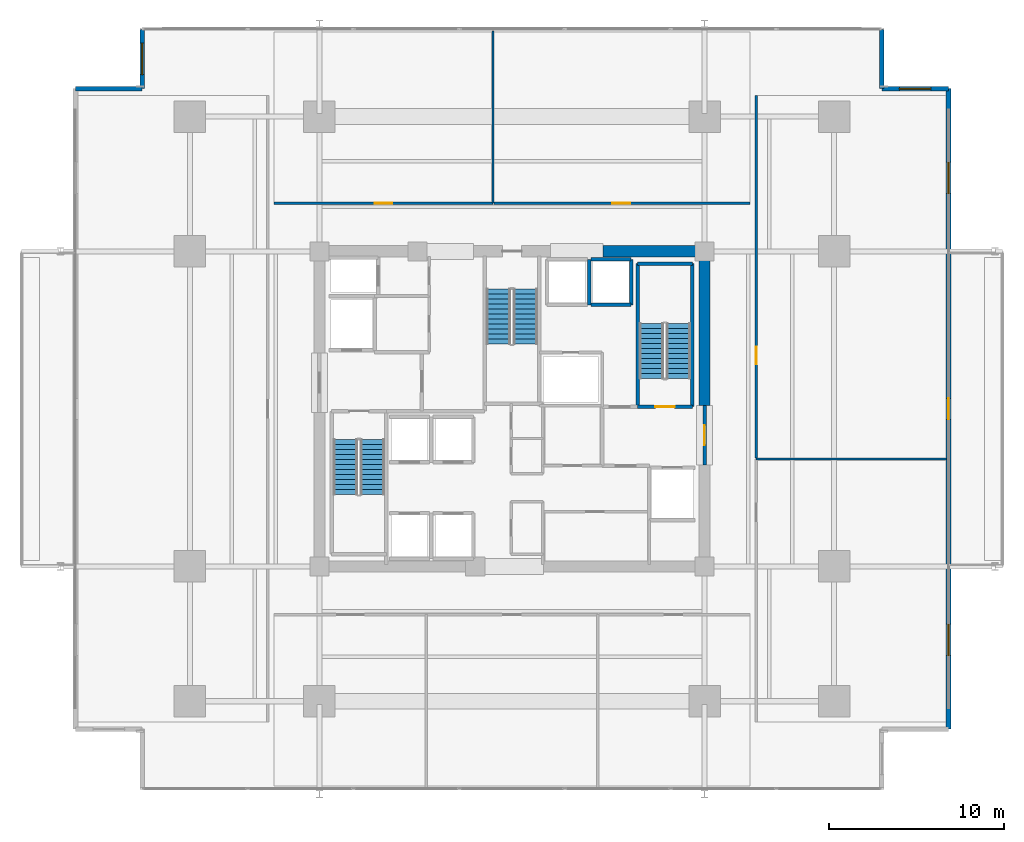
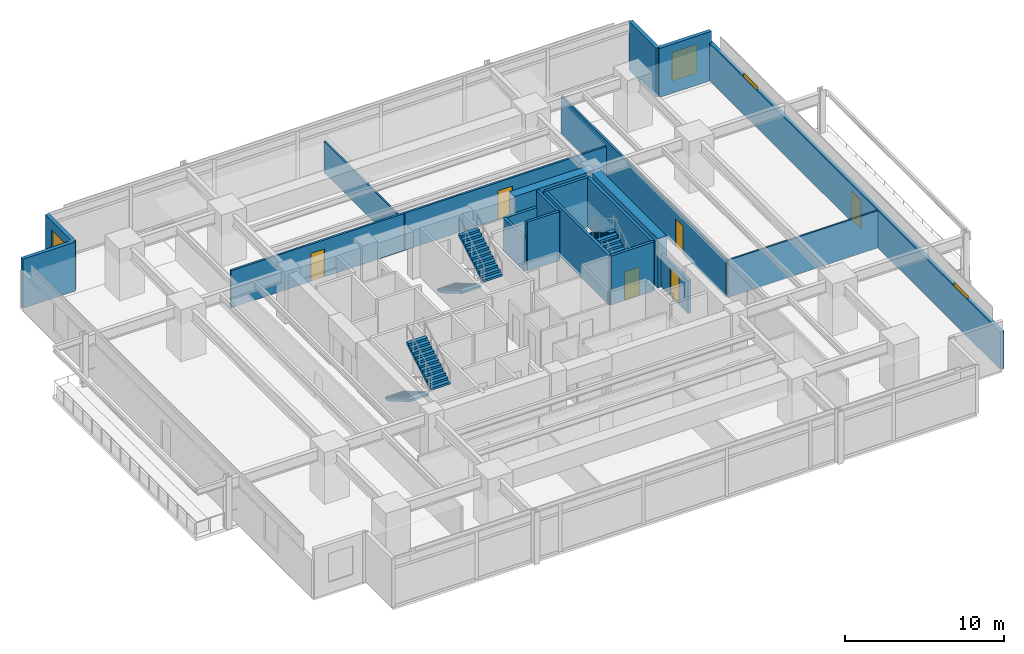
# One storey, part 17 of 21: 21 walls, 6 doors, 6 stair flights, 4 windows, 10 openings, 3 elements without a shape of their own.
"""IFC4 building model written with IfcOpenShell, lengths in metres."""

from ifc_helpers import new_model, si_unit, direction, frame, frame_2d, origin, place, context, subcontext, project, spatial, polyline, rectangle, outline, extrude, material, layer, layer_set, type_object, element, fill, aggregate, save


model = new_model("IFC4")

# Units and contexts
model_context = context("Model", 3, precision=1e-05, world=origin(), true_north=direction((0.0, 1.0)))
body_context = subcontext(model_context, "Body", "Model", "MODEL_VIEW")
ifc_project = project(units=[si_unit("LENGTHUNIT", "METRE"), si_unit("AREAUNIT", "SQUARE_METRE"), si_unit("VOLUMEUNIT", "CUBIC_METRE"), si_unit("PLANEANGLEUNIT", "RADIAN"), si_unit("MASSUNIT", "GRAM", prefix="KILO")], contexts=[model_context])

# Site, building, storey
site_placement = place(None, origin())
site = spatial("IfcSite", under=ifc_project, at=site_placement, CompositionType="ELEMENT")
building_placement = place(site_placement, origin())
building = spatial("IfcBuilding", under=site, at=building_placement, Name="Kovane Verandah Tower", CompositionType="ELEMENT")
storey_placement = place(building_placement, frame((0.0, 0.0, 31.60009765625)))
storey = spatial("IfcBuildingStorey", under=building, at=storey_placement, Name="L06", CompositionType="ELEMENT", Elevation=31.60009765625)

# Wall, opening, door
ifc_material_1 = material(Name="Fire-Rated Gypsum Stud Partition", Category="gypsum")
ifc_layer_1 = layer(ifc_material_1, 0.14990234375)
ifc_layer_set_1 = layer_set([ifc_layer_1], Name="Fire-Rated Gypsum Stud Partition")
wall_type_1 = type_object("IfcWallType", Name="WL-COR-150", PredefinedType="PARTITIONING", material=ifc_layer_set_1)
wall_1_placement = place(storey_placement, frame((26.39990234375, 39.25, 0.0), z_axis=(0.0, 0.0, 1.0), x_axis=(1.0, 0.0, 0.0)))
wall_1 = element("IfcWall", 1, at=wall_1_placement, inside=storey, type_object=wall_type_1, Name="L06 Open Plan Office N1 Corridor Partition", PredefinedType="PARTITIONING", context=body_context, shape_type="SweptSolid", body=[
    extrude(rectangle(XDim=12.51220703125, YDim=0.14990234375, at=frame_2d((6.256103515625, 0.0))), origin(), (0.0, 0.0, 1.0), 2.849853515625),
])
opening_1_placement = place(wall_1_placement, frame((5.77099609375, 0.0, 0.0)))
opening_1 = element("IfcOpeningElement", 2, at=opening_1_placement, cuts=wall_1, Name="Opening DR-L06-017", PredefinedType="OPENING", context=body_context, shape_type="SweptSolid", body=[
    extrude(rectangle(XDim=1.0, YDim=2.14990234375, at=frame_2d((0.5, 1.074951171875))), frame((0.0, 0.074951171875, 0.0), z_axis=(0.0, -1.0, 0.0), x_axis=(1.0, 0.0, 0.0)), (0.0, 0.0, 1.0), 0.14990234375),
])
ifc_material_2 = material(Name="FSC Spotted-Gum Timber Fire-Rated Office Door", Category="wood")
door_type_1 = type_object("IfcDoorType", Name="DR-OFF-1000", OperationType="SINGLE_SWING_LEFT", PredefinedType="DOOR", material=ifc_material_2)
door_1_placement = place(opening_1_placement, origin())
door_1 = element("IfcDoor", 3, at=door_1_placement, inside=storey, type_object=door_type_1, Name="L06 Open Plan Office N1 Entrance Door", OperationType="SINGLE_SWING_RIGHT", OverallHeight=2.14990234375, OverallWidth=1.0, PredefinedType="DOOR", context=body_context, shape_type="SweptSolid", body=[
    extrude(rectangle(XDim=1.0, YDim=2.14990234375, at=frame_2d((0.5, 1.074951171875))), frame((0.0, 0.02490234375, 0.0), z_axis=(0.0, -1.0, 0.0), x_axis=(1.0, 0.0, 0.0)), (0.0, 0.0, 1.0), 0.050048828125),
])
fill(opening_1, door_1)

wall_2_placement = place(storey_placement, frame((38.98193359375, 39.25, 0.0), z_axis=(0.0, 0.0, 1.0), x_axis=(1.0, 0.0, 0.0)))
wall_2 = element("IfcWall", 4, at=wall_2_placement, inside=storey, type_object=wall_type_1, Name="L06 Executive Office N2 Corridor Partition", PredefinedType="PARTITIONING", context=body_context, shape_type="SweptSolid", body=[
    extrude(rectangle(XDim=14.6181640625, YDim=0.14990234375, at=frame_2d((7.30908203125, 0.0))), origin(), (0.0, 0.0, 1.0), 2.849853515625),
])
opening_2_placement = place(wall_2_placement, frame((6.73388671875, 0.0, 0.0)))
opening_2 = element("IfcOpeningElement", 5, at=opening_2_placement, cuts=wall_2, Name="Opening DR-L06-018", PredefinedType="OPENING", context=body_context, shape_type="SweptSolid", body=[
    extrude(rectangle(XDim=1.050048828125, YDim=2.199951171875, at=frame_2d((0.52490234375, 1.10009765625))), frame((0.0, 0.074951171875, 0.0), z_axis=(0.0, -1.0, 0.0), x_axis=(1.0, 0.0, 0.0)), (0.0, 0.0, 1.0), 0.14990234375),
])
ifc_material_3 = material(Name="FSC Blackbutt Timber Fire-Rated Executive Door", Category="wood")
door_type_2 = type_object("IfcDoorType", Name="DR-EXEC-1050", OperationType="SINGLE_SWING_LEFT", PredefinedType="DOOR", material=ifc_material_3)
door_2_placement = place(opening_2_placement, origin())
door_2 = element("IfcDoor", 6, at=door_2_placement, inside=storey, type_object=door_type_2, Name="L06 Executive Office N2 Entrance Door", OperationType="SINGLE_SWING_LEFT", OverallHeight=2.199951171875, OverallWidth=1.050048828125, PredefinedType="DOOR", context=body_context, shape_type="SweptSolid", body=[
    extrude(rectangle(XDim=1.050048828125, YDim=2.199951171875, at=frame_2d((0.52490234375, 1.10009765625))), frame((0.0, 0.02490234375, 0.0), z_axis=(0.0, -1.0, 0.0), x_axis=(1.0, 0.0, 0.0)), (0.0, 0.0, 1.0), 0.050048828125),
])
fill(opening_2, door_2)

wall_3_placement = place(storey_placement, frame((53.949951171875, 24.706787109375, 0.0), z_axis=(0.0, 0.0, 1.0), x_axis=(0.0, 1.0, 0.0)))
wall_3 = element("IfcWall", 7, at=wall_3_placement, inside=storey, type_object=wall_type_1, Name="L06 Document and Print Room E2 Corridor Partition", PredefinedType="PARTITIONING", context=body_context, shape_type="SweptSolid", body=[
    extrude(rectangle(XDim=20.688232421875, YDim=0.14990234375, at=frame_2d((10.34423828125, 0.0))), origin(), (0.0, 0.0, 1.0), 2.849853515625),
])
opening_3_placement = place(wall_3_placement, frame((5.3466796875, 0.0, 0.0)))
opening_3 = element("IfcOpeningElement", 8, at=opening_3_placement, cuts=wall_3, Name="Opening DR-L06-013", PredefinedType="OPENING", context=body_context, shape_type="SweptSolid", body=[
    extrude(rectangle(XDim=1.0, YDim=2.14990234375, at=frame_2d((0.5, 1.074951171875))), frame((0.0, 0.074951171875, 0.0), z_axis=(0.0, -1.0, 0.0), x_axis=(1.0, 0.0, 0.0)), (0.0, 0.0, 1.0), 0.14990234375),
])
door_3_placement = place(opening_3_placement, origin())
door_3 = element("IfcDoor", 9, at=door_3_placement, inside=storey, type_object=door_type_1, Name="L06 Document and Print Room E2 Entrance Door", OperationType="SINGLE_SWING_LEFT", OverallHeight=2.14990234375, OverallWidth=1.0, PredefinedType="DOOR", context=body_context, shape_type="SweptSolid", body=[
    extrude(rectangle(XDim=1.0, YDim=2.14990234375, at=frame_2d((0.5, 1.074951171875))), frame((0.0, 0.02490234375, 0.0), z_axis=(0.0, -1.0, 0.0), x_axis=(1.0, 0.0, 0.0)), (0.0, 0.0, 1.0), 0.050048828125),
])
fill(opening_3, door_3)

# Walls
ifc_material_4 = material(Name="Concrete C80/95", Category="concrete")
ifc_layer_2 = layer(ifc_material_4, 0.64990234375)
ifc_layer_set_2 = layer_set([ifc_layer_2], Name="Concrete C80/95")
wall_type_2 = type_object("IfcWallType", Name="WL-CORE-650", PredefinedType="SHEAR", material=ifc_layer_set_2)
wall_4_placement = place(storey_placement, frame((45.199951171875, 36.5, 0.0), z_axis=(0.0, 0.0, 1.0), x_axis=(1.0, 0.0, 0.0)))
element("IfcWall", 10, at=wall_4_placement, inside=storey, type_object=wall_type_2, Name="L06 Core Shear Wall CN-3", PredefinedType="SHEAR", context=body_context, shape_type="SweptSolid", body=[
    extrude(rectangle(XDim=5.800048828125, YDim=0.64990234375, at=frame_2d((2.89990234375, 0.0))), origin(), (0.0, 0.0, 1.0), 3.760009765625),
])
wall_5_placement = place(storey_placement, frame((51.0, 27.699951171875, 0.0), z_axis=(0.0, 0.0, 1.0), x_axis=(0.0, 1.0, 0.0)))
element("IfcWall", 11, at=wall_5_placement, inside=storey, type_object=wall_type_2, Name="L06 Core Shear Wall CE-2", PredefinedType="SHEAR", context=body_context, shape_type="SweptSolid", body=[
    extrude(rectangle(XDim=8.800048828125, YDim=0.64990234375, at=frame_2d((4.39990234375, 0.0))), origin(), (0.0, 0.0, 1.0), 3.760009765625),
])

# Wall, opening, door
ifc_material_5 = material(Name="Concrete C45/55 Fire Wall", Category="concrete")
ifc_layer_3 = layer(ifc_material_5, 0.199951171875)
ifc_layer_set_3 = layer_set([ifc_layer_3], Name="Concrete C45/55 Fire Wall")
wall_type_3 = type_object("IfcWallType", Name="WL-FFL-200", PredefinedType="PARTITIONING", material=ifc_layer_set_3)
wall_6_placement = place(storey_placement, frame((51.0, 24.300048828125, 0.0), z_axis=(0.0, 0.0, 1.0), x_axis=(0.0, 1.0, 0.0)))
wall_6 = element("IfcWall", 12, at=wall_6_placement, inside=storey, type_object=wall_type_3, Name="W-L06-FFLE-OUT", PredefinedType="PARTITIONING", context=body_context, shape_type="SweptSolid", body=[
    extrude(rectangle(XDim=3.39990234375, YDim=0.199951171875, at=frame_2d((1.699951171875, 0.0))), origin(), (0.0, 0.0, 1.0), 2.539794921875),
])
opening_4_placement = place(wall_6_placement, frame((1.125, 0.0, 0.0)))
opening_4 = element("IfcOpeningElement", 13, at=opening_4_placement, cuts=wall_6, Name="Opening DR-L06-005", PredefinedType="OPENING", context=body_context, shape_type="SweptSolid", body=[
    extrude(rectangle(XDim=1.14990234375, YDim=2.199951171875, at=frame_2d((0.574951171875, 1.10009765625))), frame((0.0, 0.10009765625, 0.0), z_axis=(0.0, -1.0, 0.0), x_axis=(1.0, 0.0, 0.0)), (0.0, 0.0, 1.0), 0.199951171875),
])
ifc_material_6 = material(Name="Smoke-Sealed Firefighting Lobby Door", Category="steel")
door_type_3 = type_object("IfcDoorType", Name="DR-FFL-1150", OperationType="SINGLE_SWING_LEFT", PredefinedType="DOOR", material=ifc_material_6)
door_4_placement = place(opening_4_placement, origin())
door_4 = element("IfcDoor", 14, at=door_4_placement, inside=storey, type_object=door_type_3, Name="L06 East Firefighting Lobby Corridor Door", OperationType="SINGLE_SWING_LEFT", OverallHeight=2.199951171875, OverallWidth=1.14990234375, PredefinedType="DOOR", context=body_context, shape_type="SweptSolid", body=[
    extrude(rectangle(XDim=1.14990234375, YDim=2.199951171875, at=frame_2d((0.574951171875, 1.10009765625))), frame((0.0, 0.02490234375, 0.0), z_axis=(0.0, -1.0, 0.0), x_axis=(1.0, 0.0, 0.0)), (0.0, 0.0, 1.0), 0.050048828125),
])
fill(opening_4, door_4)

# Walls
ifc_material_7 = material(Name="Concrete C45/55 Lift Shaft Wall", Category="concrete")
ifc_layer_4 = layer(ifc_material_7, 0.199951171875)
ifc_layer_set_4 = layer_set([ifc_layer_4], Name="Concrete C45/55 Lift Shaft Wall")
wall_type_4 = type_object("IfcWallType", Name="WL-LIFT-200", PredefinedType="SOLIDWALL", material=ifc_layer_set_4)
wall_7_placement = place(storey_placement, frame((44.39990234375, 33.449951171875, 0.0), z_axis=(0.0, 0.0, 1.0), x_axis=(0.0, 1.0, 0.0)))
element("IfcWall", 15, at=wall_7_placement, inside=storey, type_object=wall_type_4, Name="L06 Lift OL-01 and SL-01 Shared Shaft Wall", PredefinedType="SOLIDWALL", context=body_context, shape_type="SweptSolid", body=[
    extrude(rectangle(XDim=2.60009765625, YDim=0.199951171875, at=frame_2d((1.300048828125, 0.0))), origin(), (0.0, 0.0, 1.0), 2.539794921875),
])
wall_8_placement = place(storey_placement, frame((44.5, 33.449951171875, 0.0), z_axis=(0.0, 0.0, 1.0), x_axis=(1.0, 0.0, 0.0)))
element("IfcWall", 16, at=wall_8_placement, inside=storey, type_object=wall_type_4, Name="L06 Lift OL-01 S Shaft Wall", PredefinedType="SOLIDWALL", context=body_context, shape_type="SweptSolid", body=[
    extrude(rectangle(XDim=2.300048828125, YDim=0.199951171875, at=frame_2d((1.14990234375, 0.0))), origin(), (0.0, 0.0, 1.0), 3.760009765625),
])
wall_9_placement = place(storey_placement, frame((46.800048828125, 36.050048828125, 0.0), z_axis=(0.0, 0.0, 1.0), x_axis=(-1.0, 0.0, 0.0)))
element("IfcWall", 17, at=wall_9_placement, inside=storey, type_object=wall_type_4, Name="L06 Lift OL-01 N Shaft Wall", PredefinedType="SOLIDWALL", context=body_context, shape_type="SweptSolid", body=[
    extrude(rectangle(XDim=2.300048828125, YDim=0.199951171875, at=frame_2d((1.14990234375, 0.0))), origin(), (0.0, 0.0, 1.0), 2.539794921875),
])
wall_10_placement = place(storey_placement, frame((46.800048828125, 33.449951171875, 0.0), z_axis=(0.0, 0.0, 1.0), x_axis=(0.0, 1.0, 0.0)))
element("IfcWall", 18, at=wall_10_placement, inside=storey, type_object=wall_type_4, Name="L06 Lift OL-01 E Shaft Wall", PredefinedType="SOLIDWALL", context=body_context, shape_type="SweptSolid", body=[
    extrude(rectangle(XDim=2.60009765625, YDim=0.199951171875, at=frame_2d((1.300048828125, 0.0))), origin(), (0.0, 0.0, 1.0), 3.760009765625),
])
ifc_material_8 = material(Name="Acoustic Fire-Rated Gypsum Partition", Category="gypsum")
ifc_layer_5 = layer(ifc_material_8, 0.1201171875)
ifc_layer_set_5 = layer_set([ifc_layer_5], Name="Acoustic Fire-Rated Gypsum Partition")
wall_type_5 = type_object("IfcWallType", Name="WL-PART-120", PredefinedType="PARTITIONING", material=ifc_layer_set_5)
wall_11_placement = place(storey_placement, frame((38.912109375, 39.25, 0.0), z_axis=(0.0, 0.0, 1.0), x_axis=(0.0, 1.0, 0.0)))
element("IfcWall", 19, at=wall_11_placement, inside=storey, type_object=wall_type_5, Name="L06 Open Plan Office N1 Dividing Partition", PredefinedType="PARTITIONING", context=body_context, shape_type="SweptSolid", body=[
    extrude(rectangle(XDim=9.844970703125, YDim=0.1201171875, at=frame_2d((4.92236328125, 0.0))), origin(), (0.0, 0.0, 1.0), 2.389892578125),
])
wall_12_placement = place(storey_placement, frame((53.949951171875, 24.63671875, 0.0), z_axis=(0.0, 0.0, 1.0), x_axis=(1.0, 0.0, 0.0)))
element("IfcWall", 20, at=wall_12_placement, inside=storey, type_object=wall_type_5, Name="L06 Collaboration Hub E1 Dividing Partition", PredefinedType="PARTITIONING", context=body_context, shape_type="SweptSolid", body=[
    extrude(rectangle(XDim=10.8857421875, YDim=0.1201171875, at=frame_2d((5.44287109375, 0.0))), origin(), (0.0, 0.0, 1.0), 2.849853515625),
])
ifc_material_9 = material(Name="Concrete C45/55", Category="concrete")
ifc_layer_6 = layer(ifc_material_9, 0.199951171875)
ifc_layer_set_6 = layer_set([ifc_layer_6], Name="Concrete C45/55")
wall_type_6 = type_object("IfcWallType", Name="WL-SHAFT-200", PredefinedType="SOLIDWALL", material=ifc_layer_set_6)
wall_13_placement = place(storey_placement, frame((50.300048828125, 27.64990234375, 0.0), z_axis=(0.0, 0.0, 1.0), x_axis=(0.0, 1.0, 0.0)))
element("IfcWall", 21, at=wall_13_placement, inside=storey, type_object=wall_type_6, Name="W-L06-ST02-E", PredefinedType="SOLIDWALL", context=body_context, shape_type="SweptSolid", body=[
    extrude(rectangle(XDim=8.150146484375, YDim=0.199951171875, at=frame_2d((4.0751953125, 0.0))), origin(), (0.0, 0.0, 1.0), 3.760009765625),
])
wall_14_placement = place(storey_placement, frame((47.179931640625, 35.800048828125, 0.0), z_axis=(0.0, 0.0, 1.0), x_axis=(1.0, 0.0, 0.0)))
element("IfcWall", 22, at=wall_14_placement, inside=storey, type_object=wall_type_6, Name="W-L06-ST02-N", PredefinedType="SOLIDWALL", context=body_context, shape_type="SweptSolid", body=[
    extrude(rectangle(XDim=3.1201171875, YDim=0.199951171875, at=frame_2d((1.56005859375, 0.0))), origin(), (0.0, 0.0, 1.0), 3.760009765625),
])
wall_15_placement = place(storey_placement, frame((47.179931640625, 27.6201171875, 0.0), z_axis=(0.0, 0.0, 1.0), x_axis=(0.0, 1.0, 0.0)))
element("IfcWall", 23, at=wall_15_placement, inside=storey, type_object=wall_type_6, Name="W-L06-ST02-W", PredefinedType="SOLIDWALL", context=body_context, shape_type="SweptSolid", body=[
    extrude(rectangle(XDim=8.179931640625, YDim=0.199951171875, at=frame_2d((4.08984375, 0.0))), origin(), (0.0, 0.0, 1.0), 3.760009765625),
])

# Wall, opening, door
wall_16_placement = place(storey_placement, frame((47.179931640625, 27.6201171875, 0.0), z_axis=(0.0, 0.0, 1.0), x_axis=(1.0, 0.0, 0.0)))
wall_16 = element("IfcWall", 24, at=wall_16_placement, inside=storey, type_object=wall_type_6, Name="W-L06-ST02-S", PredefinedType="SOLIDWALL", context=body_context, shape_type="SweptSolid", body=[
    extrude(rectangle(XDim=3.1201171875, YDim=0.199951171875, at=frame_2d((1.56005859375, 0.0))), origin(), (0.0, 0.0, 1.0), 3.760009765625),
])
opening_5_placement = place(wall_16_placement, frame((1.010009765625, 0.0, 0.0)))
opening_5 = element("IfcOpeningElement", 25, at=opening_5_placement, cuts=wall_16, Name="Opening DR-L06-010", PredefinedType="OPENING", context=body_context, shape_type="SweptSolid", body=[
    extrude(rectangle(XDim=1.10009765625, YDim=2.14990234375, at=frame_2d((0.550048828125, 1.074951171875))), frame((0.0, 0.10009765625, 0.0), z_axis=(0.0, -1.0, 0.0), x_axis=(1.0, 0.0, 0.0)), (0.0, 0.0, 1.0), 0.199951171875),
])
ifc_material_10 = material(Name="Fire-Rated Steel Exit Door", Category="steel")
door_type_4 = type_object("IfcDoorType", Name="DR-STAIR-1100", OperationType="SINGLE_SWING_LEFT", PredefinedType="DOOR", material=ifc_material_10)
door_5_placement = place(opening_5_placement, origin())
door_5 = element("IfcDoor", 26, at=door_5_placement, inside=storey, type_object=door_type_4, Name="L06 ST-02 Fire Exit Stair Door", OperationType="SINGLE_SWING_RIGHT", OverallHeight=2.14990234375, OverallWidth=1.10009765625, PredefinedType="DOOR", context=body_context, shape_type="SweptSolid", body=[
    extrude(rectangle(XDim=1.10009765625, YDim=2.14990234375, at=frame_2d((0.550048828125, 1.074951171875))), frame((0.0, 0.02490234375, 0.0), z_axis=(0.0, -1.0, 0.0), x_axis=(1.0, 0.0, 0.0)), (0.0, 0.0, 1.0), 0.050048828125),
])
fill(opening_5, door_5)

# Wall, openings, door, windows
ifc_material_11 = material(Name="Concrete C45/55 Insulated Spandrel Wall", Category="concrete")
ifc_layer_7 = layer(ifc_material_11, 0.260009765625)
ifc_layer_set_7 = layer_set([ifc_layer_7], Name="Concrete C45/55 Insulated Spandrel Wall")
wall_type_7 = type_object("IfcWallType", Name="WL-SPANDREL-260", PredefinedType="PARAPET", material=ifc_layer_set_7)
wall_17_placement = place(storey_placement, frame((64.935791015625, 9.205078125, 0.0), z_axis=(0.0, 0.0, 1.0), x_axis=(0.0, 1.0, 0.0)))
wall_17 = element("IfcWall", 27, at=wall_17_placement, inside=storey, type_object=wall_type_7, Name="L06 E Verandah Access Facade Wall", PredefinedType="PARAPET", context=body_context, shape_type="SweptSolid", body=[
    extrude(rectangle(XDim=36.58984375, YDim=0.260009765625, at=frame_2d((18.294921875, 0.0))), origin(), (0.0, 0.0, 1.0), 2.88916015625),
])
opening_6_placement = place(wall_17_placement, frame((4.199951171875, 0.0, 0.85009765625)))
opening_6 = element("IfcOpeningElement", 28, at=opening_6_placement, cuts=wall_17, Name="Opening W-03", PredefinedType="OPENING", context=body_context, shape_type="SweptSolid", body=[
    extrude(rectangle(XDim=1.800048828125, YDim=2.199951171875, at=frame_2d((0.89990234375, 1.10009765625))), frame((0.0, 0.1298828125, 0.0), z_axis=(0.0, -1.0, 0.0), x_axis=(1.0, 0.0, 0.0)), (0.0, 0.0, 1.0), 0.260009765625),
])
opening_7_placement = place(wall_17_placement, frame((17.695068359375, 0.0, 0.0)))
opening_7 = element("IfcOpeningElement", 29, at=opening_7_placement, cuts=wall_17, Name="Opening DR-L06-001", PredefinedType="OPENING", context=body_context, shape_type="SweptSolid", body=[
    extrude(rectangle(XDim=1.199951171875, YDim=2.199951171875, at=frame_2d((0.60009765625, 1.10009765625))), frame((0.0, 0.1298828125, 0.0), z_axis=(0.0, -1.0, 0.0), x_axis=(1.0, 0.0, 0.0)), (0.0, 0.0, 1.0), 0.260009765625),
])
opening_8_placement = place(wall_17_placement, frame((30.590087890625, 0.0, 0.85009765625)))
opening_8 = element("IfcOpeningElement", 30, at=opening_8_placement, cuts=wall_17, Name="Opening W-03", PredefinedType="OPENING", context=body_context, shape_type="SweptSolid", body=[
    extrude(rectangle(XDim=1.800048828125, YDim=2.199951171875, at=frame_2d((0.89990234375, 1.10009765625))), frame((0.0, 0.1298828125, 0.0), z_axis=(0.0, -1.0, 0.0), x_axis=(1.0, 0.0, 0.0)), (0.0, 0.0, 1.0), 0.260009765625),
])
ifc_material_12 = material(Name="Cyclone-Rated Glazed Balcony Leaf Door", Category="aluminium")
door_type_5 = type_object("IfcDoorType", Name="DR-BAL-1200x2200", OperationType="SINGLE_SWING_LEFT", PredefinedType="DOOR", material=ifc_material_12)
door_6_placement = place(opening_7_placement, origin())
door_6 = element("IfcDoor", 31, at=door_6_placement, inside=storey, type_object=door_type_5, Name="L06 E Planted Balcony Access Door", OperationType="SINGLE_SWING_LEFT", OverallHeight=2.199951171875, OverallWidth=1.199951171875, PredefinedType="DOOR", context=body_context, shape_type="SweptSolid", body=[
    extrude(rectangle(XDim=1.199951171875, YDim=2.199951171875, at=frame_2d((0.60009765625, 1.10009765625))), frame((0.0, 0.02490234375, 0.0), z_axis=(0.0, -1.0, 0.0), x_axis=(1.0, 0.0, 0.0)), (0.0, 0.0, 1.0), 0.050048828125),
])
fill(opening_7, door_6)
ifc_material_13 = material(Name="Clear Low-E Laminated Double Glazing in Anodised Frame", Category="glass")
window_type = type_object("IfcWindowType", Name="WN-NOTCH-1800x2200", PartitioningType="SINGLE_PANEL", PredefinedType="WINDOW", material=ifc_material_13)
window_1_placement = place(opening_6_placement, origin())
window_1 = element("IfcWindow", 32, at=window_1_placement, inside=storey, type_object=window_type, Name="L06 E Verandah View Window 1", OverallHeight=2.199951171875, OverallWidth=1.800048828125, PartitioningType="SINGLE_PANEL", PredefinedType="WINDOW", context=body_context, shape_type="SweptSolid", body=[
    extrude(rectangle(XDim=1.800048828125, YDim=2.199951171875, at=frame_2d((0.89990234375, 1.10009765625))), frame((0.0, 0.030029296875, 0.0), z_axis=(0.0, -1.0, 0.0), x_axis=(1.0, 0.0, 0.0)), (0.0, 0.0, 1.0), 0.06005859375),
])
fill(opening_6, window_1)
window_2_placement = place(opening_8_placement, origin())
window_2 = element("IfcWindow", 33, at=window_2_placement, inside=storey, type_object=window_type, Name="L06 E Verandah View Window 2", OverallHeight=2.199951171875, OverallWidth=1.800048828125, PartitioningType="SINGLE_PANEL", PredefinedType="WINDOW", context=body_context, shape_type="SweptSolid", body=[
    extrude(rectangle(XDim=1.800048828125, YDim=2.199951171875, at=frame_2d((0.89990234375, 1.10009765625))), frame((0.0, 0.030029296875, 0.0), z_axis=(0.0, -1.0, 0.0), x_axis=(1.0, 0.0, 0.0)), (0.0, 0.0, 1.0), 0.06005859375),
])
fill(opening_8, window_2)

# Wall, opening, window
wall_18_placement = place(storey_placement, frame((64.935791015625, 45.794921875, 0.0), z_axis=(0.0, 0.0, 1.0), x_axis=(-1.0, 0.0, 0.0)))
wall_18 = element("IfcWall", 34, at=wall_18_placement, inside=storey, type_object=wall_type_7, Name="L06 NE Notch Cheek Wall 1", PredefinedType="PARAPET", context=body_context, shape_type="SweptSolid", body=[
    extrude(rectangle(XDim=3.800048828125, YDim=0.260009765625, at=frame_2d((1.89990234375, 0.0))), origin(), (0.0, 0.0, 1.0), 3.760009765625),
])
opening_9_placement = place(wall_18_placement, frame((1.0, 0.0, 0.85009765625)))
opening_9 = element("IfcOpeningElement", 35, at=opening_9_placement, cuts=wall_18, Name="Opening W-03", PredefinedType="OPENING", context=body_context, shape_type="SweptSolid", body=[
    extrude(rectangle(XDim=1.800048828125, YDim=2.199951171875, at=frame_2d((0.89990234375, 1.10009765625))), frame((0.0, 0.1298828125, 0.0), z_axis=(0.0, -1.0, 0.0), x_axis=(1.0, 0.0, 0.0)), (0.0, 0.0, 1.0), 0.260009765625),
])
window_3_placement = place(opening_9_placement, origin())
window_3 = element("IfcWindow", 36, at=window_3_placement, inside=storey, type_object=window_type, Name="L06 NE Re-Entrant Corner Operable Window", OverallHeight=2.199951171875, OverallWidth=1.800048828125, PartitioningType="SINGLE_PANEL", PredefinedType="WINDOW", context=body_context, shape_type="SweptSolid", body=[
    extrude(rectangle(XDim=1.800048828125, YDim=2.199951171875, at=frame_2d((0.89990234375, 1.10009765625))), frame((0.0, 0.030029296875, 0.0), z_axis=(0.0, -1.0, 0.0), x_axis=(1.0, 0.0, 0.0)), (0.0, 0.0, 1.0), 0.06005859375),
])
fill(opening_9, window_3)

# Wall
wall_19_placement = place(storey_placement, frame((61.1357421875, 45.794921875, 0.0), z_axis=(0.0, 0.0, 1.0), x_axis=(0.0, 1.0, 0.0)))
element("IfcWall", 37, at=wall_19_placement, inside=storey, type_object=wall_type_7, Name="L06 NE Notch Cheek Wall 2", PredefinedType="PARAPET", context=body_context, shape_type="SweptSolid", body=[
    extrude(rectangle(XDim=3.400146484375, YDim=0.260009765625, at=frame_2d((1.7001953125, 0.0))), origin(), (0.0, 0.0, 1.0), 3.760009765625),
])

# Wall, opening, window
wall_20_placement = place(storey_placement, frame((18.8642578125, 49.195068359375, 0.0), z_axis=(0.0, 0.0, 1.0), x_axis=(0.0, -1.0, 0.0)))
wall_20 = element("IfcWall", 38, at=wall_20_placement, inside=storey, type_object=wall_type_7, Name="L06 NW Notch Cheek Wall 1", PredefinedType="PARAPET", context=body_context, shape_type="SweptSolid", body=[
    extrude(rectangle(XDim=3.400146484375, YDim=0.260009765625, at=frame_2d((1.7001953125, 0.0))), origin(), (0.0, 0.0, 1.0), 3.760009765625),
])
opening_10_placement = place(wall_20_placement, frame((0.800048828125, 0.0, 0.85009765625)))
opening_10 = element("IfcOpeningElement", 39, at=opening_10_placement, cuts=wall_20, Name="Opening W-03", PredefinedType="OPENING", context=body_context, shape_type="SweptSolid", body=[
    extrude(rectangle(XDim=1.800048828125, YDim=2.199951171875, at=frame_2d((0.89990234375, 1.10009765625))), frame((0.0, 0.1298828125, 0.0), z_axis=(0.0, -1.0, 0.0), x_axis=(1.0, 0.0, 0.0)), (0.0, 0.0, 1.0), 0.260009765625),
])
window_4_placement = place(opening_10_placement, origin())
window_4 = element("IfcWindow", 40, at=window_4_placement, inside=storey, type_object=window_type, Name="L06 NW Re-Entrant Corner Operable Window", OverallHeight=2.199951171875, OverallWidth=1.800048828125, PartitioningType="SINGLE_PANEL", PredefinedType="WINDOW", context=body_context, shape_type="SweptSolid", body=[
    extrude(rectangle(XDim=1.800048828125, YDim=2.199951171875, at=frame_2d((0.89990234375, 1.10009765625))), frame((0.0, 0.030029296875, 0.0), z_axis=(0.0, -1.0, 0.0), x_axis=(1.0, 0.0, 0.0)), (0.0, 0.0, 1.0), 0.06005859375),
])
fill(opening_10, window_4)

# Wall
wall_21_placement = place(storey_placement, frame((18.8642578125, 45.794921875, 0.0), z_axis=(0.0, 0.0, 1.0), x_axis=(-1.0, 0.0, 0.0)))
element("IfcWall", 41, at=wall_21_placement, inside=storey, type_object=wall_type_7, Name="L06 NW Notch Cheek Wall 2", PredefinedType="PARAPET", context=body_context, shape_type="SweptSolid", body=[
    extrude(rectangle(XDim=3.800048828125, YDim=0.260009765625, at=frame_2d((1.89990234375, 0.0))), origin(), (0.0, 0.0, 1.0), 3.760009765625),
])

# Stair, stair flights
stair_type = type_object("IfcStairType", Name="ST-CORE-1380", PredefinedType="HALF_TURN_STAIR", material=ifc_material_9)
stair_1_placement = place(storey_placement, origin())
stair_1 = element("IfcStair", 42, at=stair_1_placement, inside=storey, type_object=stair_type, Name="L06 Exit Stair ST-01", PredefinedType="HALF_TURN_STAIR")
stair_flight_type = type_object("IfcStairFlightType", Name="STF-CORE-1380", PredefinedType="STRAIGHT", material=ifc_material_9)
stair_flight_1_placement = place(storey_placement, frame((30.489990234375, 25.75, 0.0), z_axis=(0.0, 0.0, 1.0), x_axis=(0.0, -1.0, 0.0)))
stair_flight_1 = element("IfcStairFlight", 43, at=stair_flight_1_placement, type_object=stair_flight_type, Name="ST-01 flight 1", NumberOfRisers=12, NumberOfTreads=11, PredefinedType="STRAIGHT", RiserHeight=0.166666667, TreadLength=0.285, context=body_context, shape_type="SweptSolid", body=[
    extrude(outline(polyline([(0.0, 0.0), (0.0, 0.166748046875), (0.284912109375, 0.166748046875), (0.284912109375, 0.333251953125), (0.570068359375, 0.333251953125), (0.570068359375, 0.5), (0.85498046875, 0.5), (0.85498046875, 0.666748046875), (1.139892578125, 0.666748046875), (1.139892578125, 0.833251953125), (1.425048828125, 0.833251953125), (1.425048828125, 1.0), (1.7099609375, 1.0), (1.7099609375, 1.166748046875), (1.9951171875, 1.166748046875), (1.9951171875, 1.333251953125), (2.280029296875, 1.333251953125), (2.280029296875, 1.5), (2.56494140625, 1.5), (2.56494140625, 1.666748046875), (2.85009765625, 1.666748046875), (2.85009765625, 1.833251953125), (3.135009765625, 1.833251953125), (3.135009765625, 2.0), (3.135009765625, 1.65966796875), (0.296875, 0.0), (0.0, 0.0)])), frame((0.0, 0.68994140625, 0.0), z_axis=(0.0, -1.0, 0.0), x_axis=(1.0, 0.0, 0.0)), (0.0, 0.0, 1.0), 1.3798828125),
])
stair_flight_2_placement = place(storey_placement, frame((32.030029296875, 22.614990234375, 2.0), z_axis=(0.0, 0.0, 1.0), x_axis=(0.0, 1.0, 0.0)))
stair_flight_2 = element("IfcStairFlight", 44, at=stair_flight_2_placement, type_object=stair_flight_type, Name="ST-01 flight 2", NumberOfRisers=12, NumberOfTreads=11, PredefinedType="STRAIGHT", RiserHeight=0.166666667, TreadLength=0.285, context=body_context, shape_type="SweptSolid", body=[
    extrude(outline(polyline([(0.0, 0.0), (0.0, 0.166748046875), (0.284912109375, 0.166748046875), (0.284912109375, 0.333251953125), (0.570068359375, 0.333251953125), (0.570068359375, 0.5), (0.85498046875, 0.5), (0.85498046875, 0.666748046875), (1.139892578125, 0.666748046875), (1.139892578125, 0.833251953125), (1.425048828125, 0.833251953125), (1.425048828125, 1.0), (1.7099609375, 1.0), (1.7099609375, 1.166748046875), (1.9951171875, 1.166748046875), (1.9951171875, 1.333251953125), (2.280029296875, 1.333251953125), (2.280029296875, 1.5), (2.56494140625, 1.5), (2.56494140625, 1.666748046875), (2.85009765625, 1.666748046875), (2.85009765625, 1.833251953125), (3.135009765625, 1.833251953125), (3.135009765625, 2.0), (3.135009765625, 1.65966796875), (0.296875, 0.0), (0.0, 0.0)])), frame((0.0, 0.68994140625, 0.0), z_axis=(0.0, -1.0, 0.0), x_axis=(1.0, 0.0, 0.0)), (0.0, 0.0, 1.0), 1.3798828125),
])
aggregate(stair_1, [stair_flight_1, stair_flight_2])

stair_2_placement = place(storey_placement, origin())
stair_2 = element("IfcStair", 45, at=stair_2_placement, inside=storey, type_object=stair_type, Name="L06 Exit Stair ST-02", PredefinedType="HALF_TURN_STAIR")
stair_flight_3_placement = place(storey_placement, frame((49.510009765625, 29.25, 0.0), z_axis=(0.0, 0.0, 1.0), x_axis=(0.0, 1.0, 0.0)))
stair_flight_3 = element("IfcStairFlight", 46, at=stair_flight_3_placement, type_object=stair_flight_type, Name="ST-02 flight 1", NumberOfRisers=12, NumberOfTreads=11, PredefinedType="STRAIGHT", RiserHeight=0.166666667, TreadLength=0.285, context=body_context, shape_type="SweptSolid", body=[
    extrude(outline(polyline([(0.0, 0.0), (0.0, 0.166748046875), (0.284912109375, 0.166748046875), (0.284912109375, 0.333251953125), (0.570068359375, 0.333251953125), (0.570068359375, 0.5), (0.85498046875, 0.5), (0.85498046875, 0.666748046875), (1.139892578125, 0.666748046875), (1.139892578125, 0.833251953125), (1.425048828125, 0.833251953125), (1.425048828125, 1.0), (1.7099609375, 1.0), (1.7099609375, 1.166748046875), (1.9951171875, 1.166748046875), (1.9951171875, 1.333251953125), (2.280029296875, 1.333251953125), (2.280029296875, 1.5), (2.56494140625, 1.5), (2.56494140625, 1.666748046875), (2.85009765625, 1.666748046875), (2.85009765625, 1.833251953125), (3.135009765625, 1.833251953125), (3.135009765625, 2.0), (3.135009765625, 1.65966796875), (0.296875, 0.0), (0.0, 0.0)])), frame((0.0, 0.68994140625, 0.0), z_axis=(0.0, -1.0, 0.0), x_axis=(1.0, 0.0, 0.0)), (0.0, 0.0, 1.0), 1.3798828125),
])
stair_flight_4_placement = place(storey_placement, frame((47.969970703125, 32.385009765625, 2.0), z_axis=(0.0, 0.0, 1.0), x_axis=(0.0, -1.0, 0.0)))
stair_flight_4 = element("IfcStairFlight", 47, at=stair_flight_4_placement, type_object=stair_flight_type, Name="ST-02 flight 2", NumberOfRisers=12, NumberOfTreads=11, PredefinedType="STRAIGHT", RiserHeight=0.166666667, TreadLength=0.285, context=body_context, shape_type="SweptSolid", body=[
    extrude(outline(polyline([(0.0, 0.0), (0.0, 0.166748046875), (0.284912109375, 0.166748046875), (0.284912109375, 0.333251953125), (0.570068359375, 0.333251953125), (0.570068359375, 0.5), (0.85498046875, 0.5), (0.85498046875, 0.666748046875), (1.139892578125, 0.666748046875), (1.139892578125, 0.833251953125), (1.425048828125, 0.833251953125), (1.425048828125, 1.0), (1.7099609375, 1.0), (1.7099609375, 1.166748046875), (1.9951171875, 1.166748046875), (1.9951171875, 1.333251953125), (2.280029296875, 1.333251953125), (2.280029296875, 1.5), (2.56494140625, 1.5), (2.56494140625, 1.666748046875), (2.85009765625, 1.666748046875), (2.85009765625, 1.833251953125), (3.135009765625, 1.833251953125), (3.135009765625, 2.0), (3.135009765625, 1.65966796875), (0.296875, 0.0), (0.0, 0.0)])), frame((0.0, 0.68994140625, 0.0), z_axis=(0.0, -1.0, 0.0), x_axis=(1.0, 0.0, 0.0)), (0.0, 0.0, 1.0), 1.3798828125),
])
aggregate(stair_2, [stair_flight_3, stair_flight_4])

stair_3_placement = place(storey_placement, origin())
stair_3 = element("IfcStair", 48, at=stair_3_placement, inside=storey, type_object=stair_type, Name="L06 Exit Stair ST-03", PredefinedType="HALF_TURN_STAIR")
stair_flight_5_placement = place(storey_placement, frame((39.22998046875, 34.35009765625, 0.0), z_axis=(0.0, 0.0, 1.0), x_axis=(0.0, -1.0, 0.0)))
stair_flight_5 = element("IfcStairFlight", 49, at=stair_flight_5_placement, type_object=stair_flight_type, Name="ST-03 flight 1", NumberOfRisers=12, NumberOfTreads=11, PredefinedType="STRAIGHT", RiserHeight=0.166666667, TreadLength=0.285, context=body_context, shape_type="SweptSolid", body=[
    extrude(outline(polyline([(0.0, 0.0), (0.0, 0.166748046875), (0.284912109375, 0.166748046875), (0.284912109375, 0.333251953125), (0.570068359375, 0.333251953125), (0.570068359375, 0.5), (0.85498046875, 0.5), (0.85498046875, 0.666748046875), (1.139892578125, 0.666748046875), (1.139892578125, 0.833251953125), (1.425048828125, 0.833251953125), (1.425048828125, 1.0), (1.7099609375, 1.0), (1.7099609375, 1.166748046875), (1.9951171875, 1.166748046875), (1.9951171875, 1.333251953125), (2.280029296875, 1.333251953125), (2.280029296875, 1.5), (2.56494140625, 1.5), (2.56494140625, 1.666748046875), (2.85009765625, 1.666748046875), (2.85009765625, 1.833251953125), (3.135009765625, 1.833251953125), (3.135009765625, 2.0), (3.135009765625, 1.65966796875), (0.296875, 0.0), (0.0, 0.0)])), frame((0.0, 0.68994140625, 0.0), z_axis=(0.0, -1.0, 0.0), x_axis=(1.0, 0.0, 0.0)), (0.0, 0.0, 1.0), 1.3798828125),
])
stair_flight_6_placement = place(storey_placement, frame((40.77001953125, 31.215087890625, 2.0), z_axis=(0.0, 0.0, 1.0), x_axis=(0.0, 1.0, 0.0)))
stair_flight_6 = element("IfcStairFlight", 50, at=stair_flight_6_placement, type_object=stair_flight_type, Name="ST-03 flight 2", NumberOfRisers=12, NumberOfTreads=11, PredefinedType="STRAIGHT", RiserHeight=0.166666667, TreadLength=0.285, context=body_context, shape_type="SweptSolid", body=[
    extrude(outline(polyline([(0.0, 0.0), (0.0, 0.166748046875), (0.284912109375, 0.166748046875), (0.284912109375, 0.333251953125), (0.570068359375, 0.333251953125), (0.570068359375, 0.5), (0.85498046875, 0.5), (0.85498046875, 0.666748046875), (1.139892578125, 0.666748046875), (1.139892578125, 0.833251953125), (1.425048828125, 0.833251953125), (1.425048828125, 1.0), (1.7099609375, 1.0), (1.7099609375, 1.166748046875), (1.9951171875, 1.166748046875), (1.9951171875, 1.333251953125), (2.280029296875, 1.333251953125), (2.280029296875, 1.5), (2.56494140625, 1.5), (2.56494140625, 1.666748046875), (2.85009765625, 1.666748046875), (2.85009765625, 1.833251953125), (3.135009765625, 1.833251953125), (3.135009765625, 2.0), (3.135009765625, 1.65966796875), (0.296875, 0.0), (0.0, 0.0)])), frame((0.0, 0.68994140625, 0.0), z_axis=(0.0, -1.0, 0.0), x_axis=(1.0, 0.0, 0.0)), (0.0, 0.0, 1.0), 1.3798828125),
])
aggregate(stair_3, [stair_flight_5, stair_flight_6])

save(model, "model.ifc")
